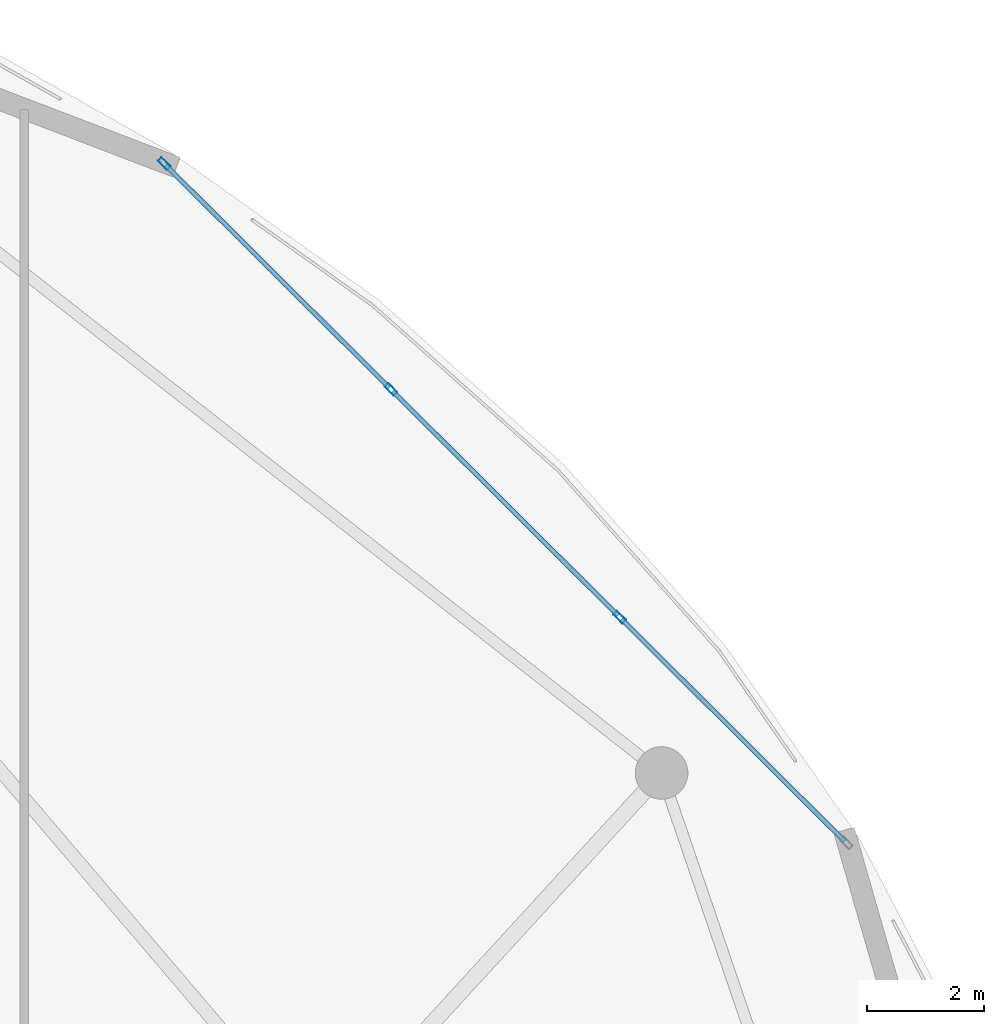
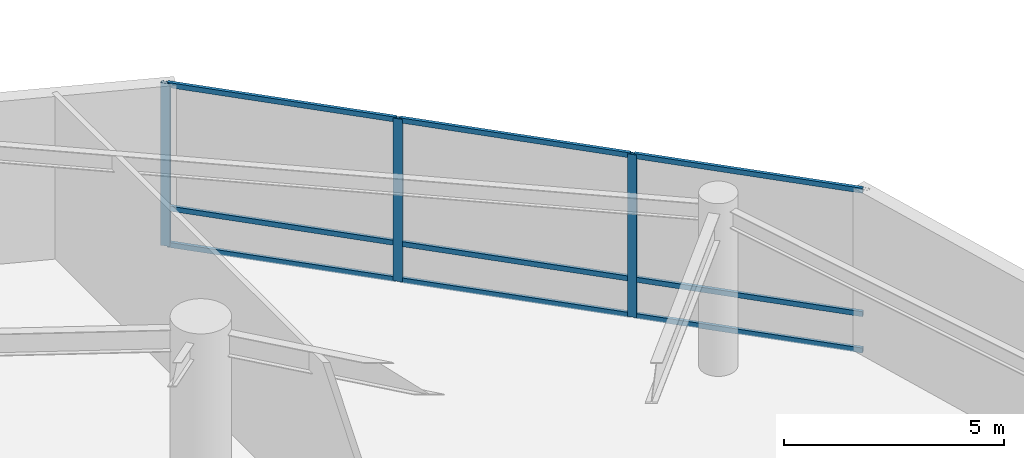
# One storey, part 20 of 36: 12 members, 1 element without a shape of its own.
"""IFC4 building model written with IfcOpenShell, lengths in metres."""

from ifc_helpers import new_model, si_unit, direction, frame, origin, origin_2d, place, context, subcontext, project, spatial, hollow_rectangle, extrude, material, layer, layer_set, material_profile, profile_set, type_object, element, aggregate, save


model = new_model("IFC4")

# Units and contexts
model_context = context("Model", 3, precision=1e-05, world=origin(), true_north=direction((0.0, 1.0)))
body_context = subcontext(model_context, "Body", "Model", "MODEL_VIEW")
ifc_project = project(units=[si_unit("LENGTHUNIT", "METRE"), si_unit("AREAUNIT", "SQUARE_METRE"), si_unit("VOLUMEUNIT", "CUBIC_METRE"), si_unit("PLANEANGLEUNIT", "RADIAN"), si_unit("MASSUNIT", "GRAM", prefix="KILO")], contexts=[model_context])

# Site, building, storey
site_placement = place(None, origin())
site = spatial("IfcSite", under=ifc_project, at=site_placement, CompositionType="ELEMENT")
building_placement = place(site_placement, origin())
building = spatial("IfcBuilding", under=site, at=building_placement, Name="Kazevale Care Tower and Concert Hall", CompositionType="ELEMENT")
storey_placement = place(building_placement, frame((0.0, 0.0, 14.39990234375)))
storey = spatial("IfcBuildingStorey", under=building, at=storey_placement, Name="L03", CompositionType="ELEMENT", Elevation=14.39990234375)

# Curtain wall, members
ifc_material_1 = material(Name="Aluminium 6063-T6 and Low-E Glass", Category="aluminium")
ifc_layer = layer(ifc_material_1, 0.179931640625)
ifc_layer_set = layer_set([ifc_layer], Name="Aluminium 6063-T6 and Low-E Glass")
curtain_wall_type = type_object("IfcCurtainWallType", Name="Podium Double-Skin Medical Curtain Wall CW-1", PredefinedType="NOTDEFINED", material=ifc_layer_set)
curtain_wall_placement = place(storey_placement, origin())
curtain_wall = element("IfcCurtainWall", 1, at=curtain_wall_placement, inside=storey, type_object=curtain_wall_type, Name="cw:L03:pod:02", PredefinedType="NOTDEFINED")
ifc_material_2 = material(Name="Aluminium 6063-T6", Category="aluminium")
ifc_material_profile_1 = material_profile(ifc_material_2, hollow_rectangle(XDim=0.090087890625, YDim=0.219970703125, WallThickness=0.0048828125, at=origin_2d()), Name="ALU90x220x5")
ifc_profile_set_1 = profile_set([ifc_material_profile_1], Name="Aluminium 6063-T6")
member_type_1 = type_object("IfcMemberType", Name="CW-1 Mullion ALU90x220x5", PredefinedType="MULLION", material=ifc_profile_set_1)
member_1_placement = place(storey_placement, frame((79.182373046875, 56.464599609375, 0.0), z_axis=(0.0, 0.0, 1.0), x_axis=(-0.705655814257, -0.708554776856, 0.0)))
member_1 = element("IfcMember", 2, at=member_1_placement, type_object=member_type_1, Name="CW-1 mullion 2", PredefinedType="MULLION", context=body_context, shape_type="SweptSolid", body=[
    extrude(hollow_rectangle(XDim=0.090087890625, YDim=0.219970703125, WallThickness=0.0048828125, at=origin_2d()), origin(), (0.0, 0.0, 1.0), 4.52001953125),
])
member_2_placement = place(storey_placement, frame((75.271728515625, 60.359375, 0.0), z_axis=(0.0, 0.0, 1.0), x_axis=(-0.705655814257, -0.708554776856, 0.0)))
member_2 = element("IfcMember", 3, at=member_2_placement, type_object=member_type_1, Name="CW-1 mullion 3", PredefinedType="MULLION", context=body_context, shape_type="SweptSolid", body=[
    extrude(hollow_rectangle(XDim=0.090087890625, YDim=0.219970703125, WallThickness=0.0048828125, at=origin_2d()), origin(), (0.0, 0.0, 1.0), 4.52001953125),
])
member_3_placement = place(storey_placement, frame((71.392822265625, 64.22216796875, 0.0), z_axis=(0.0, 0.0, 1.0), x_axis=(-0.705655814257, -0.708554776856, 0.0)))
member_3 = element("IfcMember", 4, at=member_3_placement, type_object=member_type_1, Name="CW-1 mullion 4", PredefinedType="MULLION", context=body_context, shape_type="SweptSolid", body=[
    extrude(hollow_rectangle(XDim=0.090087890625, YDim=0.219970703125, WallThickness=0.0048828125, at=origin_2d()), origin(), (0.0, 0.0, 1.0), 4.52001953125),
])
ifc_material_profile_2 = material_profile(ifc_material_2, hollow_rectangle(XDim=0.080078125, YDim=0.139892578125, WallThickness=0.00390625, at=origin_2d()), Name="ALU80x140x4")
ifc_profile_set_2 = profile_set([ifc_material_profile_2], Name="Aluminium 6063-T6")
member_type_2 = type_object("IfcMemberType", Name="CW-1 Transom ALU80x140x4", PredefinedType="USERDEFINED", material=ifc_profile_set_2)
member_4_placement = place(storey_placement, frame((83.029296875, 52.633544921875, 0.0400390625), z_axis=(-0.708578901075, 0.705631590103, 0.0), x_axis=(-0.705631590103, -0.708578901075, 0.0)))
member_4 = element("IfcMember", 5, at=member_4_placement, type_object=member_type_2, Name="CW-1 transom 1.1", ObjectType="TRANSOM", PredefinedType="USERDEFINED", context=body_context, shape_type="SweptSolid", body=[
    extrude(hollow_rectangle(XDim=0.080078125, YDim=0.139892578125, WallThickness=0.00390625, at=origin_2d()), origin(), (0.0, 0.0, 1.0), 5.38427734375),
])
member_5_placement = place(storey_placement, frame((83.029296875, 52.633544921875, 1.050048828125), z_axis=(-0.708578901075, 0.705631590103, 0.0), x_axis=(-0.705631590103, -0.708578901075, 0.0)))
member_5 = element("IfcMember", 6, at=member_5_placement, type_object=member_type_2, Name="CW-1 transom 1.2", ObjectType="TRANSOM", PredefinedType="USERDEFINED", context=body_context, shape_type="SweptSolid", body=[
    extrude(hollow_rectangle(XDim=0.080078125, YDim=0.139892578125, WallThickness=0.00390625, at=origin_2d()), origin(), (0.0, 0.0, 1.0), 5.38427734375),
])
member_6_placement = place(storey_placement, frame((83.029296875, 52.633544921875, 4.47998046875), z_axis=(-0.708578901075, 0.705631590103, 0.0), x_axis=(-0.705631590103, -0.708578901075, 0.0)))
member_6 = element("IfcMember", 7, at=member_6_placement, type_object=member_type_2, Name="CW-1 transom 1.3", ObjectType="TRANSOM", PredefinedType="USERDEFINED", context=body_context, shape_type="SweptSolid", body=[
    extrude(hollow_rectangle(XDim=0.080078125, YDim=0.139892578125, WallThickness=0.00390625, at=origin_2d()), origin(), (0.0, 0.0, 1.0), 5.38427734375),
])
member_7_placement = place(storey_placement, frame((79.150390625, 56.496337890625, 0.0400390625), z_axis=(-0.708544259539, 0.705666374624, 0.0), x_axis=(-0.705666374624, -0.708544259539, 0.0)))
member_7 = element("IfcMember", 8, at=member_7_placement, type_object=member_type_2, Name="CW-1 transom 2.1", ObjectType="TRANSOM", PredefinedType="USERDEFINED", context=body_context, shape_type="SweptSolid", body=[
    extrude(hollow_rectangle(XDim=0.080078125, YDim=0.139892578125, WallThickness=0.00390625, at=origin_2d()), origin(), (0.0, 0.0, 1.0), 5.429443359375),
])
member_8_placement = place(storey_placement, frame((79.150390625, 56.496337890625, 1.050048828125), z_axis=(-0.708544259539, 0.705666374624, 0.0), x_axis=(-0.705666374624, -0.708544259539, 0.0)))
member_8 = element("IfcMember", 9, at=member_8_placement, type_object=member_type_2, Name="CW-1 transom 2.2", ObjectType="TRANSOM", PredefinedType="USERDEFINED", context=body_context, shape_type="SweptSolid", body=[
    extrude(hollow_rectangle(XDim=0.080078125, YDim=0.139892578125, WallThickness=0.00390625, at=origin_2d()), origin(), (0.0, 0.0, 1.0), 5.429443359375),
])
member_9_placement = place(storey_placement, frame((79.150390625, 56.496337890625, 4.47998046875), z_axis=(-0.708544259539, 0.705666374624, 0.0), x_axis=(-0.705666374624, -0.708544259539, 0.0)))
member_9 = element("IfcMember", 10, at=member_9_placement, type_object=member_type_2, Name="CW-1 transom 2.3", ObjectType="TRANSOM", PredefinedType="USERDEFINED", context=body_context, shape_type="SweptSolid", body=[
    extrude(hollow_rectangle(XDim=0.080078125, YDim=0.139892578125, WallThickness=0.00390625, at=origin_2d()), origin(), (0.0, 0.0, 1.0), 5.429443359375),
])
member_10_placement = place(storey_placement, frame((75.23974609375, 60.39111328125, 0.0400390625), z_axis=(-0.708556322862, 0.705654261896, 0.0), x_axis=(-0.705654261896, -0.708556322862, 0.0)))
member_10 = element("IfcMember", 11, at=member_10_placement, type_object=member_type_2, Name="CW-1 transom 3.1", ObjectType="TRANSOM", PredefinedType="USERDEFINED", context=body_context, shape_type="SweptSolid", body=[
    extrude(hollow_rectangle(XDim=0.080078125, YDim=0.139892578125, WallThickness=0.00390625, at=origin_2d()), origin(), (0.0, 0.0, 1.0), 5.384033203125),
])
member_11_placement = place(storey_placement, frame((75.23974609375, 60.39111328125, 1.050048828125), z_axis=(-0.708556322862, 0.705654261896, 0.0), x_axis=(-0.705654261896, -0.708556322862, 0.0)))
member_11 = element("IfcMember", 12, at=member_11_placement, type_object=member_type_2, Name="CW-1 transom 3.2", ObjectType="TRANSOM", PredefinedType="USERDEFINED", context=body_context, shape_type="SweptSolid", body=[
    extrude(hollow_rectangle(XDim=0.080078125, YDim=0.139892578125, WallThickness=0.00390625, at=origin_2d()), origin(), (0.0, 0.0, 1.0), 5.384033203125),
])
member_12_placement = place(storey_placement, frame((75.23974609375, 60.39111328125, 4.47998046875), z_axis=(-0.708556322862, 0.705654261896, 0.0), x_axis=(-0.705654261896, -0.708556322862, 0.0)))
member_12 = element("IfcMember", 13, at=member_12_placement, type_object=member_type_2, Name="CW-1 transom 3.3", ObjectType="TRANSOM", PredefinedType="USERDEFINED", context=body_context, shape_type="SweptSolid", body=[
    extrude(hollow_rectangle(XDim=0.080078125, YDim=0.139892578125, WallThickness=0.00390625, at=origin_2d()), origin(), (0.0, 0.0, 1.0), 5.384033203125),
])
aggregate(curtain_wall, [member_1, member_2, member_3, member_4, member_5, member_6, member_7, member_8, member_9, member_10, member_11, member_12])

save(model, "model.ifc")
